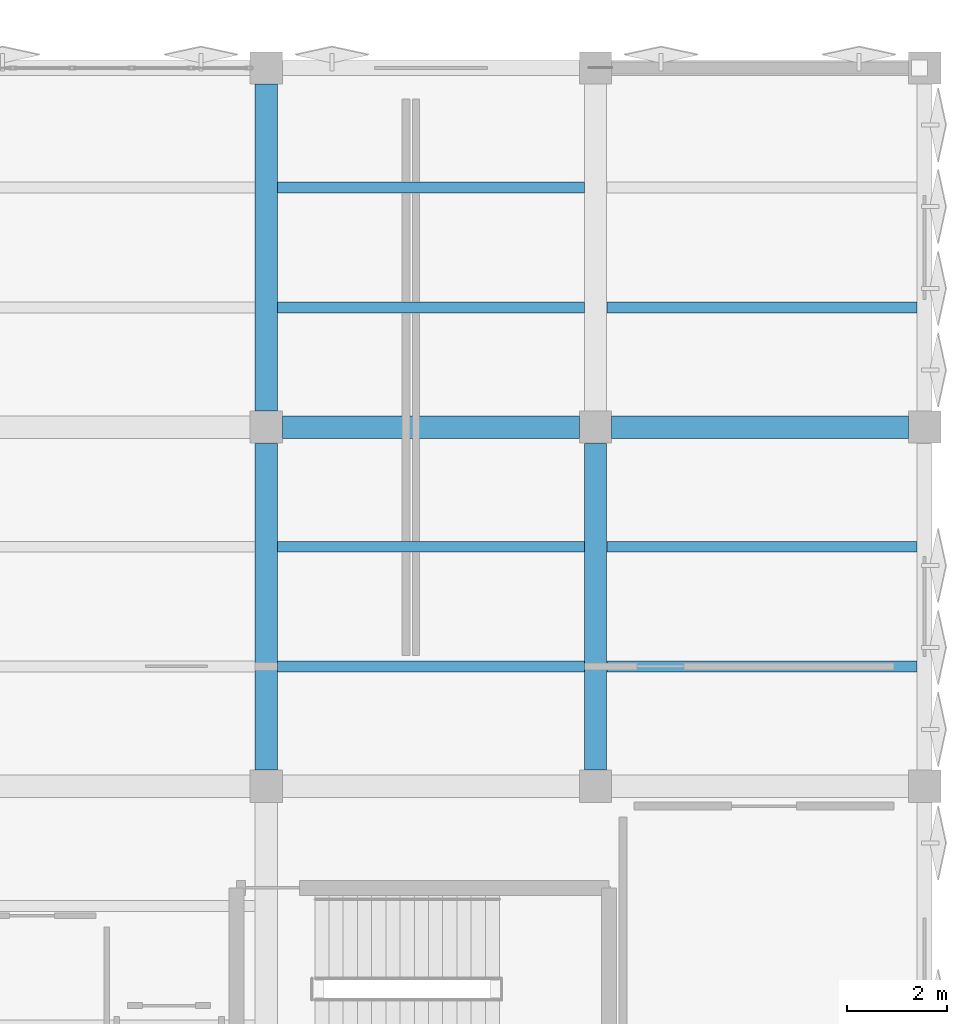
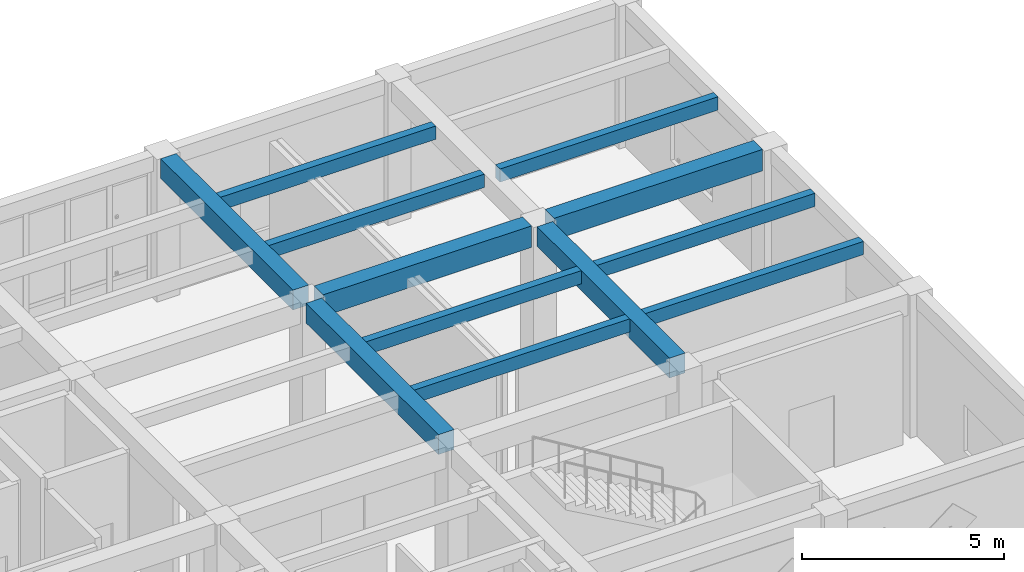
# One storey, part 17 of 39: 12 beams.
"""IFC4 building model written with IfcOpenShell, lengths in metres."""

from ifc_helpers import new_model, si_unit, direction, frame, origin, origin_2d, place, context, subcontext, project, spatial, rectangle, extrude, material, material_profile, profile_set, type_object, element, save


model = new_model("IFC4")

# Units and contexts
model_context = context("Model", 3, precision=1e-05, world=origin(), true_north=direction((0.0, 1.0)))
body_context = subcontext(model_context, "Body", "Model", "MODEL_VIEW")
ifc_project = project(units=[si_unit("LENGTHUNIT", "METRE"), si_unit("AREAUNIT", "SQUARE_METRE"), si_unit("VOLUMEUNIT", "CUBIC_METRE"), si_unit("PLANEANGLEUNIT", "RADIAN"), si_unit("MASSUNIT", "GRAM", prefix="KILO")], contexts=[model_context])

# Site, building, storey
site_placement = place(None, origin())
site = spatial("IfcSite", under=ifc_project, at=site_placement, CompositionType="ELEMENT")
building_placement = place(site_placement, origin())
building = spatial("IfcBuilding", under=site, at=building_placement, Name="Kharisveld Research Institute", CompositionType="ELEMENT")
storey_placement = place(building_placement, frame((0.0, 0.0, 18.60009765625)))
storey = spatial("IfcBuildingStorey", under=building, at=storey_placement, Name="L04", CompositionType="ELEMENT", Elevation=18.60009765625)

# Beams
ifc_material_1 = material(Name="Concrete C40/50", Category="concrete")
ifc_material_profile_1 = material_profile(ifc_material_1, rectangle(XDim=0.449951171875, YDim=0.60009765625, at=origin_2d()))
ifc_profile_set_1 = profile_set([ifc_material_profile_1], Name="Concrete C40/50")
beam_type_1 = type_object("IfcBeamType", Name="BM_RC_450x600", PredefinedType="BEAM", material=ifc_profile_set_1)
beam_1_placement = place(storey_placement, frame((147.60009765625, 46.72509765625, 4.0), z_axis=(0.0, 1.0, 0.0), x_axis=(-1.0, 0.0, 0.0)))
element("IfcBeam", 1, at=beam_1_placement, inside=storey, type_object=beam_type_1, Name="BM:V2:L04:V5_1", PredefinedType="BEAM", context=body_context, shape_type="SweptSolid", body=[
    extrude(rectangle(XDim=0.449951171875, YDim=0.60009765625, at=origin_2d()), origin(), (0.0, 0.0, 1.0), 6.5498046875),
])
beam_2_placement = place(storey_placement, frame((147.60009765625, 53.925048828125, 4.0), z_axis=(0.0, 1.0, 0.0), x_axis=(-1.0, 0.0, 0.0)))
element("IfcBeam", 2, at=beam_2_placement, inside=storey, type_object=beam_type_1, Name="BM:V2:L04:V5_2", PredefinedType="BEAM", context=body_context, shape_type="SweptSolid", body=[
    extrude(rectangle(XDim=0.449951171875, YDim=0.60009765625, at=origin_2d()), origin(), (0.0, 0.0, 1.0), 6.550048828125),
])
beam_3_placement = place(storey_placement, frame((154.199951171875, 46.72509765625, 4.0), z_axis=(0.0, 1.0, 0.0), x_axis=(-1.0, 0.0, 0.0)))
element("IfcBeam", 3, at=beam_3_placement, inside=storey, type_object=beam_type_1, Name="BM:V2:L04:V6_1", PredefinedType="BEAM", context=body_context, shape_type="SweptSolid", body=[
    extrude(rectangle(XDim=0.449951171875, YDim=0.60009765625, at=origin_2d()), origin(), (0.0, 0.0, 1.0), 6.5498046875),
])
ifc_material_2 = material(Name="Concrete C40/50", Category="concrete")
ifc_material_profile_2 = material_profile(ifc_material_2, rectangle(XDim=0.449951171875, YDim=0.64990234375, at=origin_2d()))
ifc_profile_set_2 = profile_set([ifc_material_profile_2], Name="Concrete C40/50")
beam_type_2 = type_object("IfcBeamType", Name="BM_RC_450x650", PredefinedType="BEAM", material=ifc_profile_set_2)
beam_4_placement = place(storey_placement, frame((147.925048828125, 53.60009765625, 3.974853515625), z_axis=(1.0, 0.0, 0.0), x_axis=(0.0, 1.0, 0.0)))
element("IfcBeam", 4, at=beam_4_placement, inside=storey, type_object=beam_type_2, Name="BM:V2:L04:U5_2", PredefinedType="BEAM", context=body_context, shape_type="SweptSolid", body=[
    extrude(rectangle(XDim=0.449951171875, YDim=0.64990234375, at=origin_2d()), origin(), (0.0, 0.0, 1.0), 5.949951171875),
])
beam_5_placement = place(storey_placement, frame((154.52490234375, 53.60009765625, 3.974853515625), z_axis=(1.0, 0.0, 0.0), x_axis=(0.0, 1.0, 0.0)))
element("IfcBeam", 5, at=beam_5_placement, inside=storey, type_object=beam_type_2, Name="BM:V2:L04:U6_2", PredefinedType="BEAM", context=body_context, shape_type="SweptSolid", body=[
    extrude(rectangle(XDim=0.449951171875, YDim=0.64990234375, at=origin_2d()), origin(), (0.0, 0.0, 1.0), 5.9501953125),
])
ifc_material_3 = material(Name="Concrete C40/50", Category="concrete")
ifc_material_profile_3 = material_profile(ifc_material_3, rectangle(XDim=0.219970703125, YDim=0.39990234375, at=origin_2d()))
ifc_profile_set_3 = profile_set([ifc_material_profile_3], Name="Concrete C40/50")
beam_type_3 = type_object("IfcBeamType", Name="WB_RC_220x400", PredefinedType="JOIST", material=ifc_profile_set_3)
for number, where, z_axis, x_axis, name in (
    (6, (147.824951171875, 48.800048828125, 4.099853515625), (1.0, 0.0, 0.0), (0.0, 1.0, 0.0), "BM:V2:L04:J_5_1_R1"),
    (7, (147.824951171875, 51.199951171875, 4.099853515625), (1.0, 0.0, 0.0), (0.0, 1.0, 0.0), "BM:V2:L04:J_5_1_R2"),
    (8, (147.824951171875, 56.0, 4.099853515625), (1.0, 0.0, 0.0), (0.0, 1.0, 0.0), "BM:V2:L04:J_5_2_R1"),
    (9, (147.824951171875, 58.39990234375, 4.099853515625), (1.0, 0.0, 0.0), (0.0, 1.0, 0.0), "BM:V2:L04:J_5_2_R2"),
):
    element("IfcBeam", number, at=place(storey_placement, frame(where, z_axis=z_axis, x_axis=x_axis)), inside=storey, type_object=beam_type_3, Name=name, PredefinedType="JOIST", context=body_context, shape_type="SweptSolid", body=[
        extrude(rectangle(XDim=0.219970703125, YDim=0.39990234375, at=origin_2d()), origin(), (0.0, 0.0, 1.0), 6.150146484375),
    ])
for number, where, z_axis, x_axis, name in (
    (10, (154.425048828125, 48.800048828125, 4.099853515625), (1.0, 0.0, 0.0), (0.0, 1.0, 0.0), "BM:V2:L04:J_6_1_R1"),
    (11, (154.425048828125, 51.199951171875, 4.099853515625), (1.0, 0.0, 0.0), (0.0, 1.0, 0.0), "BM:V2:L04:J_6_1_R2"),
    (12, (154.425048828125, 56.0, 4.099853515625), (1.0, 0.0, 0.0), (0.0, 1.0, 0.0), "BM:V2:L04:J_6_2_R1"),
):
    element("IfcBeam", number, at=place(storey_placement, frame(where, z_axis=z_axis, x_axis=x_axis)), inside=storey, type_object=beam_type_3, Name=name, PredefinedType="JOIST", context=body_context, shape_type="SweptSolid", body=[
        extrude(rectangle(XDim=0.219970703125, YDim=0.39990234375, at=origin_2d()), origin(), (0.0, 0.0, 1.0), 6.224853515625),
    ])

save(model, "model.ifc")
